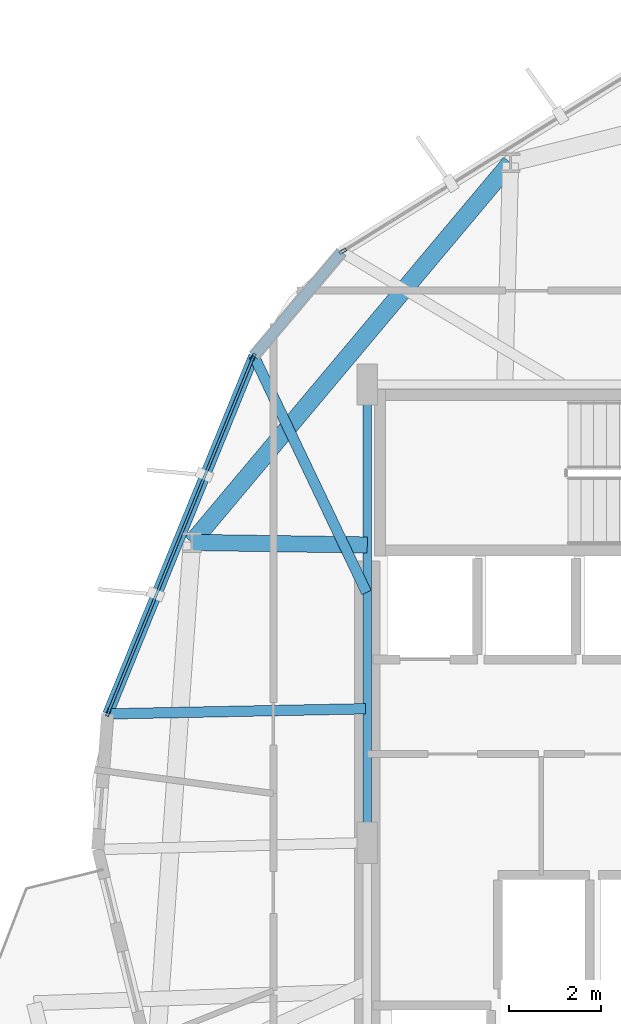
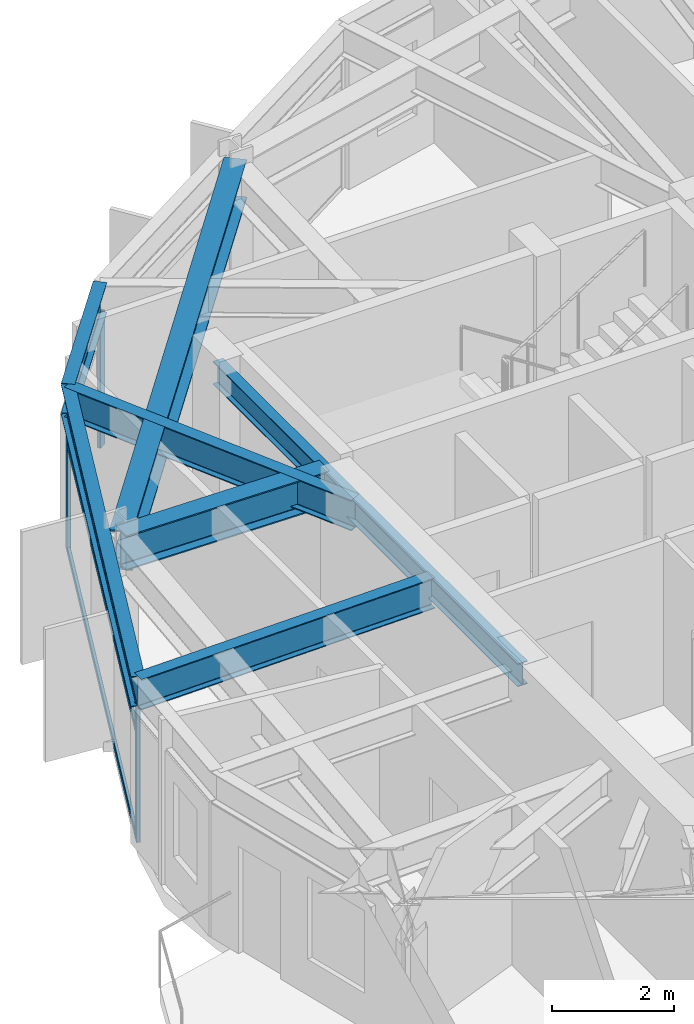
# One storey, part 6 of 21: 7 beams, 6 members, 2 elements without a shape of their own.
"""IFC4 building model written with IfcOpenShell, lengths in metres."""

from ifc_helpers import new_model, si_unit, direction, frame, origin, origin_2d, place, context, subcontext, project, spatial, hollow_rectangle, i_section, extrude, material, layer, layer_set, material_profile, profile_set, type_object, element, aggregate, save


model = new_model("IFC4")

# Units and contexts
model_context = context("Model", 3, precision=1e-05, world=origin(), true_north=direction((0.0, 1.0)))
body_context = subcontext(model_context, "Body", "Model", "MODEL_VIEW")
ifc_project = project(units=[si_unit("LENGTHUNIT", "METRE"), si_unit("AREAUNIT", "SQUARE_METRE"), si_unit("VOLUMEUNIT", "CUBIC_METRE"), si_unit("PLANEANGLEUNIT", "RADIAN"), si_unit("MASSUNIT", "GRAM", prefix="KILO")], contexts=[model_context])

# Site, building, storey
site_placement = place(None, origin())
site = spatial("IfcSite", under=ifc_project, at=site_placement, CompositionType="ELEMENT")
building_placement = place(site_placement, origin())
building = spatial("IfcBuilding", under=site, at=building_placement, Name="Soratama Intermodal Tower", CompositionType="ELEMENT")
storey_placement = place(building_placement, frame((0.0, 0.0, 153.39990234375)))
storey = spatial("IfcBuildingStorey", under=building, at=storey_placement, Name="L37", CompositionType="ELEMENT", Elevation=153.39990234375)

# Beams
ifc_material_1 = material(Name="Structural steel ASTM A992 Grade 50", Category="steel")
ifc_material_profile_1 = material_profile(ifc_material_1, i_section(OverallWidth=0.19091796875, OverallDepth=0.4599609375, WebThickness=0.010009765625, FlangeThickness=0.01611328125, FilletRadius=0.010986328125, at=origin_2d()), Name="W18X55")
ifc_profile_set_1 = profile_set([ifc_material_profile_1], Name="Structural steel ASTM A992 Grade 50")
beam_type_1 = type_object("IfcBeamType", Name="BM-FLR-W18X55", PredefinedType="BEAM", material=ifc_profile_set_1)
beam_1_placement = place(storey_placement, frame((32.60009765625, 35.0, 3.070068359375), z_axis=(0.0, -1.0, 0.0), x_axis=(1.0, 0.0, 0.0)))
element("IfcBeam", 1, at=beam_1_placement, inside=storey, type_object=beam_type_1, Name="BM-L37-CRING-08", PredefinedType="BEAM", context=body_context, shape_type="SweptSolid", body=[
    extrude(i_section(OverallWidth=0.19091796875, OverallDepth=0.4599609375, WebThickness=0.010009765625, FlangeThickness=0.01611328125, FilletRadius=0.010986328125, at=origin_2d()), origin(), (0.0, 0.0, 1.0), 10.0),
])
ifc_material_2 = material(Name="Structural steel ASTM A992 Grade 50", Category="steel")
ifc_material_profile_2 = material_profile(ifc_material_2, i_section(OverallWidth=0.35498046875, OverallDepth=0.695068359375, WebThickness=0.015380859375, FlangeThickness=0.02490234375, FilletRadius=0.01611328125, at=origin_2d()), Name="W27X146")
ifc_profile_set_2 = profile_set([ifc_material_profile_2], Name="Structural steel ASTM A992 Grade 50")
beam_type_2 = type_object("IfcBeamType", Name="BM-RING-W27X146", PredefinedType="BEAM", material=ifc_profile_set_2)
beam_2_placement = place(storey_placement, frame((32.60009765625, 31.5, 2.95263671875), z_axis=(-0.999893261134, 0.014610487289, 0.0), x_axis=(-0.014610487289, -0.999893261134, 0.0)))
element("IfcBeam", 2, at=beam_2_placement, inside=storey, type_object=beam_type_2, Name="BM-L37-RAD-05", PredefinedType="BEAM", context=body_context, shape_type="SweptSolid", body=[
    extrude(i_section(OverallWidth=0.35498046875, OverallDepth=0.695068359375, WebThickness=0.015380859375, FlangeThickness=0.02490234375, FilletRadius=0.01611328125, at=origin_2d()), origin(), (0.0, 0.0, 1.0), 3.82666015625),
])
ifc_material_3 = material(Name="Structural steel ASTM A992 Grade 50", Category="steel")
ifc_material_profile_3 = material_profile(ifc_material_3, i_section(OverallWidth=0.382080078125, OverallDepth=0.779052734375, WebThickness=0.01806640625, FlangeThickness=0.030029296875, FilletRadius=0.01806640625, at=origin_2d()), Name="W30X191")
ifc_profile_set_3 = profile_set([ifc_material_profile_3], Name="Structural steel ASTM A992 Grade 50")
beam_type_3 = type_object("IfcBeamType", Name="BM-RING-W30X191", PredefinedType="BEAM", material=ifc_profile_set_3)
beam_3_placement = place(storey_placement, frame((35.72607421875, 39.841064453125, 2.91064453125), z_axis=(-0.642791781199, -0.766040942785, 0.0), x_axis=(0.766040942785, -0.642791781199, 0.0)))
element("IfcBeam", 3, at=beam_3_placement, inside=storey, type_object=beam_type_3, Name="BM-L37-RING-04", PredefinedType="BEAM", context=body_context, shape_type="SweptSolid", body=[
    extrude(i_section(OverallWidth=0.382080078125, OverallDepth=0.779052734375, WebThickness=0.01806640625, FlangeThickness=0.030029296875, FilletRadius=0.01806640625, at=origin_2d()), origin(), (0.0, 0.0, 1.0), 10.815673828125),
])
ifc_material_4 = material(Name="Structural steel ASTM A992 Grade 50", Category="steel")
ifc_material_profile_4 = material_profile(ifc_material_4, i_section(OverallWidth=0.22900390625, OverallDepth=0.612060546875, WebThickness=0.011962890625, FlangeThickness=0.01953125, FilletRadius=0.012939453125, at=origin_2d()), Name="W24X84")
ifc_profile_set_4 = profile_set([ifc_material_profile_4], Name="Structural steel ASTM A992 Grade 50")
beam_type_4 = type_object("IfcBeamType", Name="BM-SPN-W24X84", PredefinedType="SPANDREL", material=ifc_profile_set_4)
beam_4_placement = place(storey_placement, frame((32.0390625, 37.89404296875, 2.994140625), z_axis=(-0.645432814439, -0.763817047496, 0.0), x_axis=(0.763817047496, -0.645432814439, 0.0)))
element("IfcBeam", 4, at=beam_4_placement, inside=storey, type_object=beam_type_4, Name="BS-L37-CRN03", PredefinedType="SPANDREL", context=body_context, shape_type="SweptSolid", body=[
    extrude(i_section(OverallWidth=0.22900390625, OverallDepth=0.612060546875, WebThickness=0.011962890625, FlangeThickness=0.01953125, FilletRadius=0.012939453125, at=origin_2d()), origin(), (0.0, 0.0, 1.0), 2.965576171875),
])
beam_5_placement = place(storey_placement, frame((30.125, 35.62890625, 2.994140625), z_axis=(-0.377815023568, -0.92588109818, 0.0), x_axis=(0.92588109818, -0.377815023568, 0.0)))
element("IfcBeam", 5, at=beam_5_placement, inside=storey, type_object=beam_type_4, Name="BS-L37-F04", PredefinedType="SPANDREL", context=body_context, shape_type="SweptSolid", body=[
    extrude(i_section(OverallWidth=0.22900390625, OverallDepth=0.612060546875, WebThickness=0.011962890625, FlangeThickness=0.01953125, FilletRadius=0.012939453125, at=origin_2d()), origin(), (0.0, 0.0, 1.0), 8.4404296875),
])
ifc_material_5 = material(Name="Structural steel ASTM A992 Grade 50", Category="steel")
ifc_material_profile_5 = material_profile(ifc_material_5, i_section(OverallWidth=0.22900390625, OverallDepth=0.612060546875, WebThickness=0.011962890625, FlangeThickness=0.01953125, FilletRadius=0.012939453125, at=origin_2d()), Name="W24X84")
ifc_profile_set_5 = profile_set([ifc_material_profile_5], Name="Structural steel ASTM A992 Grade 50")
beam_type_5 = type_object("IfcBeamType", Name="BM-TIE-W24X84", PredefinedType="BEAM", material=ifc_profile_set_5)
beam_6_placement = place(storey_placement, frame((32.5830078125, 30.464111328125, 2.994140625), z_axis=(-0.429731437289, 0.902956749687, 0.0), x_axis=(-0.902956749687, -0.429731437289, 0.0)))
element("IfcBeam", 6, at=beam_6_placement, inside=storey, type_object=beam_type_5, Name="BM-L37-TIE0-04", PredefinedType="BEAM", context=body_context, shape_type="SweptSolid", body=[
    extrude(i_section(OverallWidth=0.22900390625, OverallDepth=0.612060546875, WebThickness=0.011962890625, FlangeThickness=0.01953125, FilletRadius=0.012939453125, at=origin_2d()), origin(), (0.0, 0.0, 1.0), 5.719970703125),
])
beam_7_placement = place(storey_placement, frame((32.56005859375, 27.926025390625, 2.994140625), z_axis=(-0.999801549617, -0.019921380069, 0.0), x_axis=(0.019921380069, -0.999801549617, 0.0)))
element("IfcBeam", 7, at=beam_7_placement, inside=storey, type_object=beam_type_5, Name="BM-L37-TIE1-04", PredefinedType="BEAM", context=body_context, shape_type="SweptSolid", body=[
    extrude(i_section(OverallWidth=0.22900390625, OverallDepth=0.612060546875, WebThickness=0.011962890625, FlangeThickness=0.01953125, FilletRadius=0.012939453125, at=origin_2d()), origin(), (0.0, 0.0, 1.0), 5.625244140625),
])

# Curtain wall, member
ifc_material_6 = material(Name="Double-glazed aluminium curtain wall", Category="aluminium")
ifc_layer = layer(ifc_material_6, 0.159912109375)
ifc_layer_set = layer_set([ifc_layer], Name="Double-glazed aluminium curtain wall")
curtain_wall_type = type_object("IfcCurtainWallType", Name="CW-SYS-4", PredefinedType="NOTDEFINED", material=ifc_layer_set)
curtain_wall_1_placement = place(storey_placement, origin())
curtain_wall_1 = element("IfcCurtainWall", 8, at=curtain_wall_1_placement, inside=storey, type_object=curtain_wall_type, Name="L37 Faceted Curtain Wall F03", PredefinedType="NOTDEFINED")
ifc_material_7 = material(Name="Anodised aluminium AA 6063-T6", Category="aluminium")
ifc_material_profile_6 = material_profile(ifc_material_7, hollow_rectangle(XDim=0.070068359375, YDim=0.159912109375, WallThickness=0.0048828125, InnerFilletRadius=0.0048828125, OuterFilletRadius=0.010009765625, at=origin_2d()), Name="CWM160X70X5")
ifc_profile_set_6 = profile_set([ifc_material_profile_6], Name="Anodised aluminium AA 6063-T6")
member_type_1 = type_object("IfcMemberType", Name="MT-CWM-4", PredefinedType="MULLION", material=ifc_profile_set_6)
member_1_placement = place(storey_placement, frame((32.06494140625, 37.91015625, 0.0), z_axis=(0.0, 0.0, 1.0), x_axis=(0.526959352028, -0.849890487833, 0.0)))
member_1 = element("IfcMember", 9, at=member_1_placement, type_object=member_type_1, Name="CW-4 mullion 2", PredefinedType="MULLION", context=body_context, shape_type="SweptSolid", body=[
    extrude(hollow_rectangle(XDim=0.070068359375, YDim=0.159912109375, WallThickness=0.0048828125, InnerFilletRadius=0.0048828125, OuterFilletRadius=0.010009765625, at=origin_2d()), origin(), (0.0, 0.0, 1.0), 2.67919921875),
])
aggregate(curtain_wall_1, [member_1])

# Curtain wall, members
curtain_wall_2_placement = place(storey_placement, origin())
curtain_wall_2 = element("IfcCurtainWall", 10, at=curtain_wall_2_placement, inside=storey, type_object=curtain_wall_type, Name="L37 Faceted Curtain Wall F04", PredefinedType="NOTDEFINED")
member_2_placement = place(storey_placement, frame((30.11328125, 35.600830078125, 0.0), z_axis=(0.0, 0.0, 1.0), x_axis=(0.925873105028, -0.377834611154, 0.0)))
member_2 = element("IfcMember", 11, at=member_2_placement, type_object=member_type_1, Name="CW-4 mullion 1", PredefinedType="MULLION", context=body_context, shape_type="SweptSolid", body=[
    extrude(hollow_rectangle(XDim=0.070068359375, YDim=0.159912109375, WallThickness=0.0048828125, InnerFilletRadius=0.0048828125, OuterFilletRadius=0.010009765625, at=origin_2d()), origin(), (0.0, 0.0, 1.0), 2.67919921875),
])
member_3_placement = place(storey_placement, frame((26.947021484375, 27.841552734375, 0.0), z_axis=(0.0, 0.0, 1.0), x_axis=(0.925873105028, -0.377834611154, 0.0)))
member_3 = element("IfcMember", 12, at=member_3_placement, type_object=member_type_1, Name="CW-4 mullion 2", PredefinedType="MULLION", context=body_context, shape_type="SweptSolid", body=[
    extrude(hollow_rectangle(XDim=0.070068359375, YDim=0.159912109375, WallThickness=0.0048828125, InnerFilletRadius=0.0048828125, OuterFilletRadius=0.010009765625, at=origin_2d()), origin(), (0.0, 0.0, 1.0), 2.67919921875),
])
ifc_material_8 = material(Name="Anodised aluminium AA 6063-T6", Category="aluminium")
ifc_material_profile_7 = material_profile(ifc_material_8, hollow_rectangle(XDim=0.06005859375, YDim=0.1298828125, WallThickness=0.0048828125, InnerFilletRadius=0.0048828125, OuterFilletRadius=0.010009765625, at=origin_2d()), Name="CWT130X60X5")
ifc_profile_set_7 = profile_set([ifc_material_profile_7], Name="Anodised aluminium AA 6063-T6")
member_type_2 = type_object("IfcMemberType", Name="TT-CWT-2", PredefinedType="USERDEFINED", material=ifc_profile_set_7)
member_4_placement = place(storey_placement, frame((30.10205078125, 35.572998046875, 0.030029296875), z_axis=(-0.377842072735, -0.925870060036, 0.0), x_axis=(0.925870060036, -0.377842072735, 0.0)))
member_4 = element("IfcMember", 13, at=member_4_placement, type_object=member_type_2, Name="CW-4 transom 1.1", ObjectType="TRANSOM", PredefinedType="USERDEFINED", context=body_context, shape_type="SweptSolid", body=[
    extrude(hollow_rectangle(XDim=0.06005859375, YDim=0.1298828125, WallThickness=0.0048828125, InnerFilletRadius=0.0048828125, OuterFilletRadius=0.010009765625, at=origin_2d()), origin(), (0.0, 0.0, 1.0), 8.3203125),
])
member_5_placement = place(storey_placement, frame((30.10205078125, 35.572998046875, 2.150146484375), z_axis=(-0.377842072735, -0.925870060036, 0.0), x_axis=(0.925870060036, -0.377842072735, 0.0)))
member_5 = element("IfcMember", 14, at=member_5_placement, type_object=member_type_2, Name="CW-4 transom 1.2", ObjectType="TRANSOM", PredefinedType="USERDEFINED", context=body_context, shape_type="SweptSolid", body=[
    extrude(hollow_rectangle(XDim=0.06005859375, YDim=0.1298828125, WallThickness=0.0048828125, InnerFilletRadius=0.0048828125, OuterFilletRadius=0.010009765625, at=origin_2d()), origin(), (0.0, 0.0, 1.0), 8.3203125),
])
member_6_placement = place(storey_placement, frame((30.10205078125, 35.572998046875, 2.649169921875), z_axis=(-0.377842072735, -0.925870060036, 0.0), x_axis=(0.925870060036, -0.377842072735, 0.0)))
member_6 = element("IfcMember", 15, at=member_6_placement, type_object=member_type_2, Name="CW-4 transom 1.3", ObjectType="TRANSOM", PredefinedType="USERDEFINED", context=body_context, shape_type="SweptSolid", body=[
    extrude(hollow_rectangle(XDim=0.06005859375, YDim=0.1298828125, WallThickness=0.0048828125, InnerFilletRadius=0.0048828125, OuterFilletRadius=0.010009765625, at=origin_2d()), origin(), (0.0, 0.0, 1.0), 8.3203125),
])
aggregate(curtain_wall_2, [member_2, member_3, member_4, member_5, member_6])

save(model, "model.ifc")
